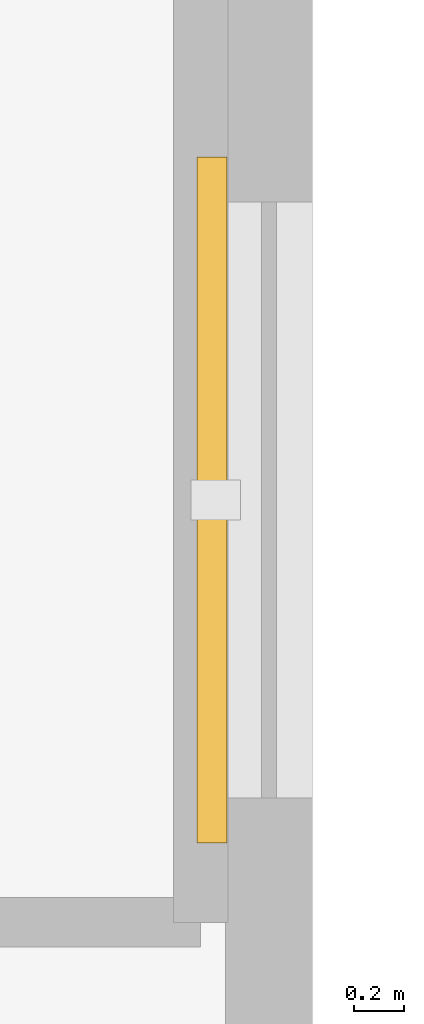
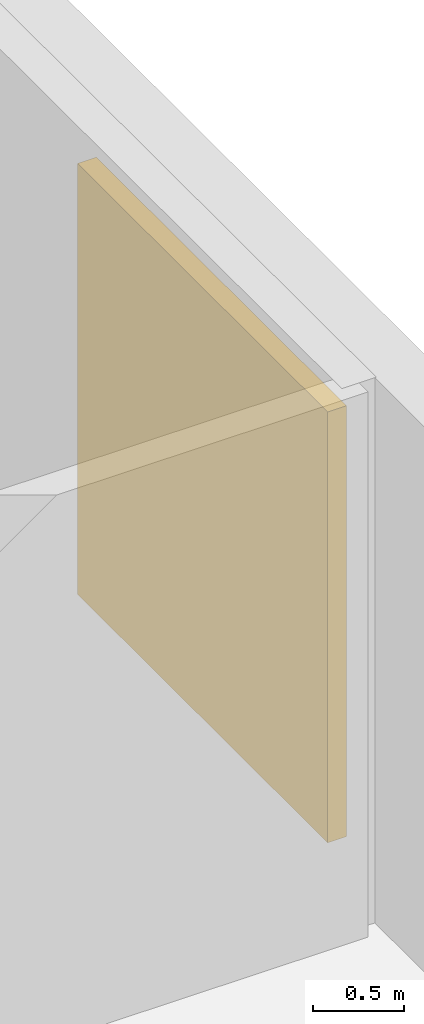
# One storey, part 14 of 14: 1 shading device.
"""IFC4 building model written with IfcOpenShell, lengths in metres."""

import ifcopenshell
import ifcopenshell.guid

model = None  # the IFC model being written
_history = None  # IfcOwnerHistory: only IFC2X3 demands one
_inside = {}  # id of a spatial element -> (the spatial element, [elements in it])
_under = {}  # id of a project, library or spatial element -> (it, [spatial elements below it])
_declared = {}  # id of a project -> (the project, [libraries it declares])
_typed = {}  # id of a type object -> (the type object, [elements of that type])
_made_of = {}  # id of a material, layer set ... -> (it, [elements and type objects made of it])


def new_model(schema):
    """Start an empty IFC model of exactly this schema.

    Asked for "IFC4X3", IfcOpenShell would pick the latest addendum, in which some entities
    have other attributes; the version numbers below select the first issue.
    IFC2X3 requires an IfcOwnerHistory on every rooted entity: one is made here for all.
    """
    global model, _history
    if schema == "IFC4X3":
        model = ifcopenshell.file(schema_version=(4, 3, 0, 0))
    else:
        model = ifcopenshell.file(schema=schema)
    _inside.clear()
    _under.clear()
    _declared.clear()
    _typed.clear()
    _made_of.clear()
    _history = None
    if model.schema == "IFC2X3":
        org = make("IfcOrganization", Name="unknown")
        user = make(
            "IfcPersonAndOrganization",
            ThePerson=make("IfcPerson", FamilyName="unknown"),
            TheOrganization=org,
        )
        app = make(
            "IfcApplication",
            ApplicationDeveloper=org,
            Version="unknown",
            ApplicationFullName="unknown",
            ApplicationIdentifier="unknown",
        )
        _history = make(
            "IfcOwnerHistory",
            OwningUser=user,
            OwningApplication=app,
            ChangeAction="ADDED",
            CreationDate=0,
        )
    return model


def make(cls, **values):
    """One entity of the class cls with the attributes given. An attribute that is None is left unset."""
    return model.create_entity(
        cls, **{name: value for name, value in values.items() if value is not None}
    )


def rooted(cls, **values):
    """An entity with a GlobalId (a new one), such as an element, a storey or a relation."""
    return make(cls, GlobalId=ifcopenshell.guid.new(), OwnerHistory=_history, **values)


def si_unit(unit_type, name, prefix=None):
    """IfcSIUnit, for example si_unit("LENGTHUNIT", "METRE", prefix="MILLI")."""
    return make("IfcSIUnit", UnitType=unit_type, Prefix=prefix, Name=name)


def assignment(units):
    """IfcUnitAssignment: the units of a project."""
    return None if units is None else make("IfcUnitAssignment", Units=units)


def point(xyz):
    """IfcCartesianPoint."""
    return None if xyz is None else make("IfcCartesianPoint", Coordinates=xyz)


def direction(xyz):
    """IfcDirection."""
    return None if xyz is None else make("IfcDirection", DirectionRatios=xyz)


def frame(location, z_axis=None, x_axis=None):
    """IfcAxis2Placement3D, a coordinate frame: its origin and axes. An axis left out is left unset."""
    return make(
        "IfcAxis2Placement3D",
        Location=point(location),
        Axis=direction(z_axis),
        RefDirection=direction(x_axis),
    )


def frame_2d(location, x_axis=None):
    """IfcAxis2Placement2D, a coordinate frame in the plane: its origin and x axis."""
    return make(
        "IfcAxis2Placement2D", Location=point(location), RefDirection=direction(x_axis)
    )


def origin():
    """The frame at (0, 0, 0) with its axes left unset."""
    return frame((0.0, 0.0, 0.0))


def origin_2d():
    """The frame at (0, 0) in the plane with its x axis left unset."""
    return frame_2d((0.0, 0.0))


def place(relative_to, where):
    """IfcLocalPlacement: puts the frame where relative to a parent placement (None: the world)."""
    return make(
        "IfcLocalPlacement", PlacementRelTo=relative_to, RelativePlacement=where
    )


def context(
    kind, dimensions, precision=None, world=None, true_north=None, identifier=None
):
    """IfcGeometricRepresentationContext, for example the 3D "Model" context."""
    return make(
        "IfcGeometricRepresentationContext",
        ContextIdentifier=identifier,
        ContextType=kind,
        CoordinateSpaceDimension=dimensions,
        Precision=precision,
        WorldCoordinateSystem=world,
        TrueNorth=true_north,
    )


def subcontext(parent, identifier, kind, view, scale=None):
    """IfcGeometricRepresentationSubContext, for example "Body" below "Model"."""
    return make(
        "IfcGeometricRepresentationSubContext",
        ContextIdentifier=identifier,
        ContextType=kind,
        ParentContext=parent,
        TargetScale=scale,
        TargetView=view,
    )


def project(units=None, contexts=None):
    """IfcProject with its units and contexts."""
    return rooted(
        "IfcProject",
        Name="project",
        RepresentationContexts=contexts,
        UnitsInContext=assignment(units),
    )


def spatial(cls, under=None, at=None, **own):
    """A site, building, storey or space (cls), placed at a placement, below another one or the project."""
    s = rooted(cls, ObjectPlacement=at, **own)
    if under is not None:
        _under.setdefault(under.id(), (under, []))[1].append(s)
    return s


def profile(cls, at=None, kind="AREA", **sizes):
    """A parametric profile (cls). Its sizes go by their IFC names, for example OverallWidth=200.0."""
    return make(cls, ProfileType=kind, Position=at, **sizes)


def rectangle(**sizes):
    """IfcRectangleProfileDef."""
    return profile("IfcRectangleProfileDef", **sizes)


def extrude(swept, where, along, depth):
    """IfcExtrudedAreaSolid: the profile swept, set in the frame where, extruded along a direction by depth."""
    return make(
        "IfcExtrudedAreaSolid",
        SweptArea=swept,
        Position=where,
        ExtrudedDirection=direction(along),
        Depth=depth,
    )


def shape(context_of_items, identifier, shape_type, items):
    """IfcShapeRepresentation: the items that make up one representation, for example the "Body"."""
    return make(
        "IfcShapeRepresentation",
        ContextOfItems=context_of_items,
        RepresentationIdentifier=identifier,
        RepresentationType=shape_type,
        Items=items,
    )


def material(Name=None, Category=None):
    """IfcMaterial."""
    return make("IfcMaterial", Name=Name, Category=Category)


def layer(
    of_material, thickness, ventilated=None, Name=None, Category=None, Priority=None
):
    """IfcMaterialLayer: one layer of a wall or slab, of a material (None: an air gap)."""
    return make(
        "IfcMaterialLayer",
        Material=of_material,
        LayerThickness=thickness,
        IsVentilated=ventilated,
        Name=Name,
        Category=Category,
        Priority=Priority,
    )


def layer_set(layers, Name=None):
    """IfcMaterialLayerSet."""
    return make("IfcMaterialLayerSet", MaterialLayers=layers, LayerSetName=Name)


def made_of(thing, what):
    """Note that an element or type object is made of a material, layer set ...; save() writes the relation."""
    if what is not None:
        _made_of.setdefault(what.id(), (what, []))[1].append(thing)
    return thing


def type_object(cls, material=None, **own):
    """A type object (cls), such as IfcWallType, which elements share."""
    return made_of(rooted(cls, **own), material)


def element(
    cls,
    number,
    at=None,
    inside=None,
    cuts=None,
    type_object=None,
    material=None,
    context=None,
    identifier="Body",
    shape_type=None,
    held_by="IfcProductDefinitionShape",
    body=None,
    shapes=None,
    **own,
):
    """One element of the class cls, such as IfcWall. Its Tag is "e" and its number.

    at: its placement. inside: the storey or other place that contains it. cuts: it is an
    opening in that element (IfcRelVoidsElement). A single representation is given by context,
    identifier, shape_type and body (its items); several are given by shapes. held_by: the class
    of the entity that holds the representations. save() writes the other relations.
    """
    e = rooted(cls, Tag="e%d" % number, ObjectPlacement=at, **own)
    if body is not None:
        shapes = [shape(context, identifier, shape_type, body)]
    if shapes is not None:
        e.Representation = make(held_by, Representations=shapes)
    if inside is not None:
        _inside.setdefault(inside.id(), (inside, []))[1].append(e)
    if cuts is not None:
        rooted(
            "IfcRelVoidsElement", RelatingBuildingElement=cuts, RelatedOpeningElement=e
        )
    if type_object is not None:
        _typed.setdefault(type_object.id(), (type_object, []))[1].append(e)
    return made_of(e, material)


def aggregate(whole, parts):
    """IfcRelAggregates: a whole, such as a stair, and the parts it consists of."""
    return rooted("IfcRelAggregates", RelatingObject=whole, RelatedObjects=parts)


def save(model, path):
    """Write the relations noted so far, then the file.

    IfcRelAggregates (storeys below a building ...), IfcRelContainedInSpatialStructure (elements
    in a storey), IfcRelDefinesByType, IfcRelAssociatesMaterial and IfcRelDeclares: one each for
    every whole, place, type object, material and project.
    """
    for whole, parts in _under.values():
        aggregate(whole, parts)
    for where, things in _inside.values():
        rooted(
            "IfcRelContainedInSpatialStructure",
            RelatedElements=things,
            RelatingStructure=where,
        )
    for kind, things in _typed.values():
        rooted("IfcRelDefinesByType", RelatedObjects=things, RelatingType=kind)
    for what, things in _made_of.values():
        rooted("IfcRelAssociatesMaterial", RelatedObjects=things, RelatingMaterial=what)
    for by, libraries in _declared.values():
        rooted("IfcRelDeclares", RelatingContext=by, RelatedDefinitions=libraries)
    model.write(path)


model = new_model("IFC4")

# Units and contexts
model_context = context("Model", 3, precision=1e-05, world=origin(), true_north=direction((0.0, 1.0)))
body_context = subcontext(model_context, "Body", "Model", "MODEL_VIEW")
ifc_project = project(units=[si_unit("LENGTHUNIT", "METRE"), si_unit("AREAUNIT", "SQUARE_METRE"), si_unit("VOLUMEUNIT", "CUBIC_METRE"), si_unit("PLANEANGLEUNIT", "RADIAN"), si_unit("MASSUNIT", "GRAM", prefix="KILO")], contexts=[model_context])

# Site, building, storey
site_placement = place(None, origin())
site = spatial("IfcSite", under=ifc_project, at=site_placement, CompositionType="ELEMENT")
building_placement = place(site_placement, origin())
building = spatial("IfcBuilding", under=site, at=building_placement, Name="Koriwani Terraces Tower", CompositionType="ELEMENT")
storey_placement = place(building_placement, frame((0.0, 0.0, 339.800048828125)))
storey = spatial("IfcBuildingStorey", under=building, at=storey_placement, Name="L84", CompositionType="ELEMENT", Elevation=339.800048828125)

# Shading device
ifc_material = material(Name="Extruded Terracotta Clay", Category="masonry")
ifc_layer = layer(ifc_material, 0.1201171875, Name="Extruded Terracotta Clay")
ifc_layer_set = layer_set([ifc_layer], Name="Extruded Terracotta Clay")
shading_device_type = type_object("IfcShadingDeviceType", Name="TERRACOTTA_BAGUETTE_SCREEN_2800", PredefinedType="USERDEFINED", material=ifc_layer_set)
shading_device_placement = place(storey_placement, frame((33.195068359375, 63.0, 0.385009765625), z_axis=(0.0, 0.0, 1.0), x_axis=(0.0, -1.0, 0.0)))
element("IfcShadingDevice", 1, at=shading_device_placement, inside=storey, type_object=shading_device_type, Name="L84 Extruded Terracotta Baguette Screen (NW_IN-11)", ObjectType="BAGUETTE", PredefinedType="USERDEFINED", context=body_context, shape_type="SweptSolid", body=[
    extrude(rectangle(XDim=2.760009765625, YDim=0.1201171875, at=origin_2d()), origin(), (0.0, 0.0, 1.0), 2.89990234375),
])

save(model, "model.ifc")
